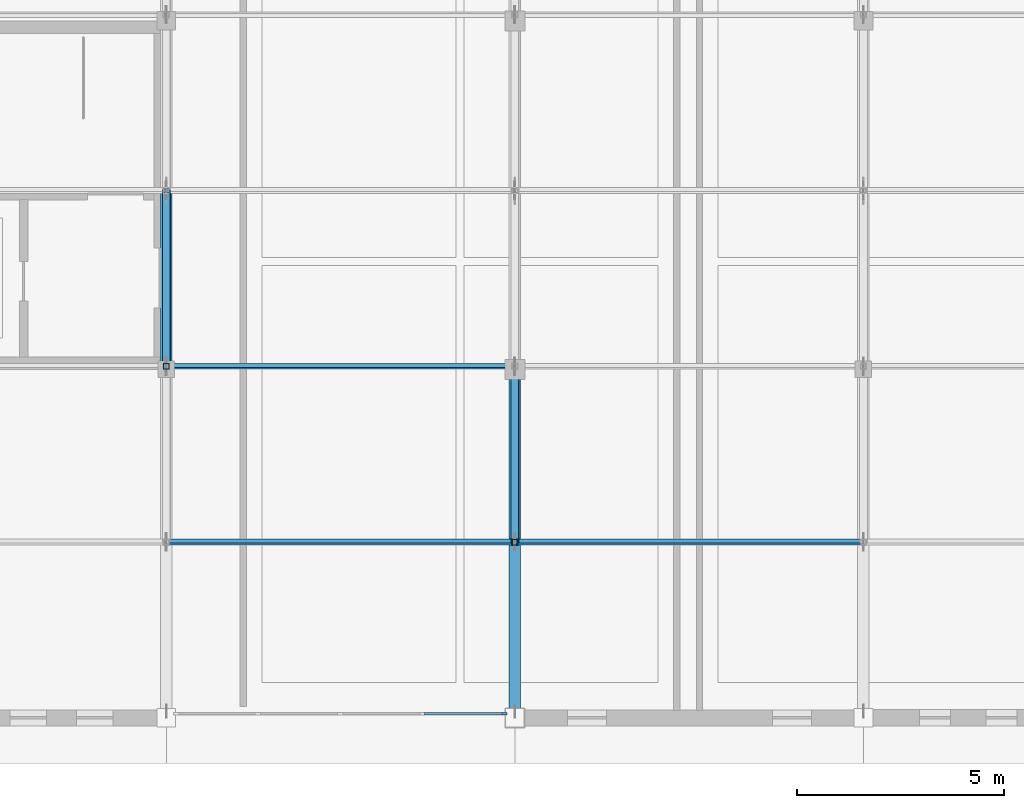
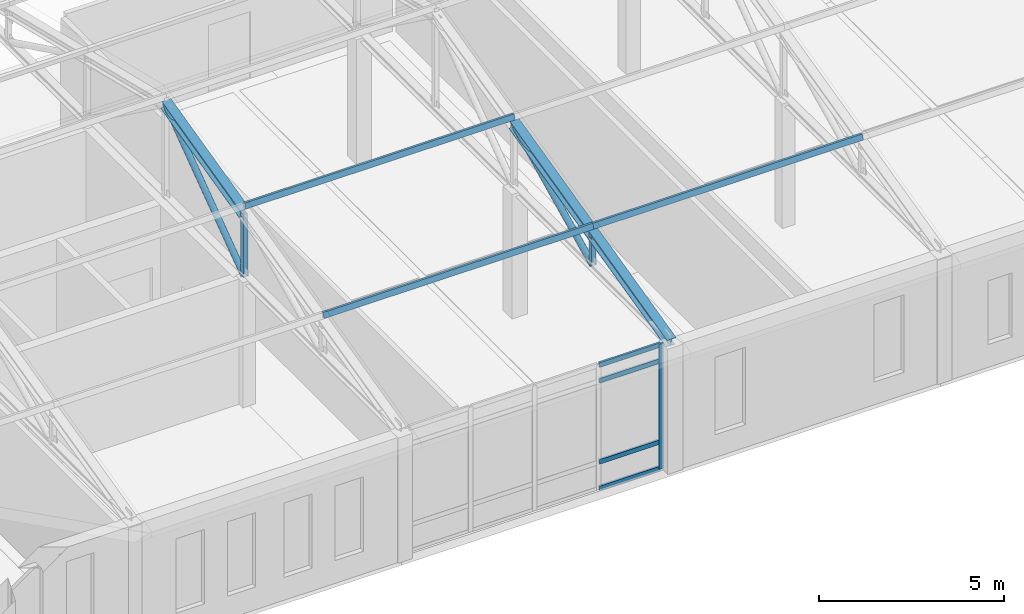
# One storey, part 18 of 192: 15 members, 1 element without a shape of its own.
"""IFC4 building model written with IfcOpenShell, lengths in metres."""

from ifc_helpers import new_model, si_unit, direction, frame, origin, origin_2d, place, context, subcontext, project, spatial, rectangle, hollow_rectangle, hollow_circle, i_section, extrude, material, layer, layer_set, material_profile, profile_set, type_object, element, aggregate, save


model = new_model("IFC4")

# Units and contexts
model_context = context("Model", 3, precision=1e-05, world=origin(), true_north=direction((0.0, 1.0)))
body_context = subcontext(model_context, "Body", "Model", "MODEL_VIEW")
ifc_project = project(units=[si_unit("LENGTHUNIT", "METRE"), si_unit("AREAUNIT", "SQUARE_METRE"), si_unit("VOLUMEUNIT", "CUBIC_METRE"), si_unit("PLANEANGLEUNIT", "RADIAN"), si_unit("MASSUNIT", "GRAM", prefix="KILO")], contexts=[model_context])

# Site, building, storey
site_placement = place(None, origin())
site = spatial("IfcSite", under=ifc_project, at=site_placement, CompositionType="ELEMENT")
building_placement = place(site_placement, origin())
building = spatial("IfcBuilding", under=site, at=building_placement, Name="Kveldsbrygga Polytechnic", CompositionType="ELEMENT")
storey_placement = place(building_placement, frame((0.0, 0.0, 5.43994140625)))
storey = spatial("IfcBuildingStorey", under=building, at=storey_placement, Name="L01", CompositionType="ELEMENT", Elevation=5.43994140625)

# Curtain wall, members
ifc_material_1 = material(Name="Anodised aluminium AW-6060", Category="aluminium")
ifc_layer = layer(ifc_material_1, 0.199951171875)
ifc_layer_set = layer_set([ifc_layer], Name="Anodised aluminium AW-6060")
curtain_wall_type = type_object("IfcCurtainWallType", Name="CW-LANC-E", PredefinedType="USERDEFINED", material=ifc_layer_set)
curtain_wall_placement = place(storey_placement, origin())
curtain_wall = element("IfcCurtainWall", 1, at=curtain_wall_placement, inside=storey, type_object=curtain_wall_type, Name="Curtain Wall CW-L01-X-02-00", ObjectType="UNITISED CURTAIN WALL", PredefinedType="USERDEFINED")
ifc_material_profile_1 = material_profile(ifc_material_1, rectangle(XDim=0.06005859375, YDim=0.139892578125, at=origin_2d()), Name="ALU 60x140")
ifc_profile_set_1 = profile_set([ifc_material_profile_1], Name="Anodised aluminium AW-6060")
member_type_1 = type_object("IfcMemberType", Name="CW-MUL-140", PredefinedType="MULLION", material=ifc_profile_set_1)
member_1_placement = place(storey_placement, frame((24.945068359375, 0.10009765625, 0.0), z_axis=(0.0, 0.0, 1.0), x_axis=(0.0, 1.0, 0.0)))
member_1 = element("IfcMember", 2, at=member_1_placement, type_object=member_type_1, Name="CW-05 mullion 5", PredefinedType="MULLION", context=body_context, shape_type="SweptSolid", body=[
    extrude(rectangle(XDim=0.06005859375, YDim=0.139892578125, at=origin_2d()), origin(), (0.0, 0.0, 1.0), 4.1201171875),
])
ifc_material_profile_2 = material_profile(ifc_material_1, rectangle(XDim=0.06005859375, YDim=0.14990234375, at=origin_2d()), Name="ALU 60x150")
ifc_profile_set_2 = profile_set([ifc_material_profile_2], Name="Anodised aluminium AW-6060")
member_type_2 = type_object("IfcMemberType", Name="CW-TRN-150", PredefinedType="USERDEFINED", material=ifc_profile_set_2)
member_2_placement = place(storey_placement, frame((23.013671875, 0.10009765625, 0.030029296875), z_axis=(1.0, 0.0, 0.0), x_axis=(0.0, 1.0, 0.0)))
member_2 = element("IfcMember", 3, at=member_2_placement, type_object=member_type_2, Name="CW-05 transom 4.1", ObjectType="TRANSOM", PredefinedType="USERDEFINED", context=body_context, shape_type="SweptSolid", body=[
    extrude(rectangle(XDim=0.06005859375, YDim=0.14990234375, at=origin_2d()), origin(), (0.0, 0.0, 1.0), 1.9013671875),
])
member_3_placement = place(storey_placement, frame((23.013671875, 0.10009765625, 0.900146484375), z_axis=(1.0, 0.0, 0.0), x_axis=(0.0, 1.0, 0.0)))
member_3 = element("IfcMember", 4, at=member_3_placement, type_object=member_type_2, Name="CW-05 transom 4.2", ObjectType="TRANSOM", PredefinedType="USERDEFINED", context=body_context, shape_type="SweptSolid", body=[
    extrude(rectangle(XDim=0.06005859375, YDim=0.14990234375, at=origin_2d()), origin(), (0.0, 0.0, 1.0), 1.9013671875),
])
member_4_placement = place(storey_placement, frame((23.013671875, 0.10009765625, 3.570068359375), z_axis=(1.0, 0.0, 0.0), x_axis=(0.0, 1.0, 0.0)))
member_4 = element("IfcMember", 5, at=member_4_placement, type_object=member_type_2, Name="CW-05 transom 4.3", ObjectType="TRANSOM", PredefinedType="USERDEFINED", context=body_context, shape_type="SweptSolid", body=[
    extrude(rectangle(XDim=0.06005859375, YDim=0.14990234375, at=origin_2d()), origin(), (0.0, 0.0, 1.0), 1.9013671875),
])
member_5_placement = place(storey_placement, frame((23.013671875, 0.10009765625, 4.090087890625), z_axis=(1.0, 0.0, 0.0), x_axis=(0.0, 1.0, 0.0)))
member_5 = element("IfcMember", 6, at=member_5_placement, type_object=member_type_2, Name="CW-05 transom 4.4", ObjectType="TRANSOM", PredefinedType="USERDEFINED", context=body_context, shape_type="SweptSolid", body=[
    extrude(rectangle(XDim=0.06005859375, YDim=0.14990234375, at=origin_2d()), origin(), (0.0, 0.0, 1.0), 1.9013671875),
])
aggregate(curtain_wall, [member_1, member_2, member_3, member_4, member_5])

# Members
ifc_material_2 = material(Name="Steel S355", Category="steel")
ifc_material_profile_3 = material_profile(ifc_material_2, hollow_rectangle(XDim=0.10009765625, YDim=0.179931640625, WallThickness=0.008056640625, at=origin_2d()), Name="RHS 180x100x8.0")
ifc_profile_set_3 = profile_set([ifc_material_profile_3], Name="Steel S355")
member_type_3 = type_object("IfcMemberType", Name="PRL-RHS180", PredefinedType="PURLIN", material=ifc_profile_set_3)
for number, where, z_axis, x_axis, name in (
    (7, (16.800048828125, 4.236572265625, 5.39013671875), (1.0, 0.0, 0.0), (0.0, 0.971520177509, -0.236956841415), "Roof Purlin V5S-PRL-3-1"),
    (8, (16.800048828125, 8.473388671875, 6.423583984375), (1.0, 0.0, 0.0), (0.0, 0.971520177509, -0.236956841415), "Roof Purlin V5S-PRL-3-2"),
):
    element("IfcMember", number, at=place(storey_placement, frame(where, z_axis=z_axis, x_axis=x_axis)), inside=storey, type_object=member_type_3, Name=name, PredefinedType="PURLIN", context=body_context, shape_type="SweptSolid", body=[
        extrude(hollow_rectangle(XDim=0.10009765625, YDim=0.179931640625, WallThickness=0.008056640625, at=origin_2d()), origin(), (0.0, 0.0, 1.0), 8.39990234375),
    ])
member_6_placement = place(storey_placement, frame((25.199951171875, 4.236572265625, 5.39013671875), z_axis=(1.0, 0.0, 0.0), x_axis=(0.0, 0.971520177509, -0.236956841415)))
element("IfcMember", 9, at=member_6_placement, inside=storey, type_object=member_type_3, Name="Roof Purlin V5S-PRL-4-1", PredefinedType="PURLIN", context=body_context, shape_type="SweptSolid", body=[
    extrude(hollow_rectangle(XDim=0.10009765625, YDim=0.179931640625, WallThickness=0.008056640625, at=origin_2d()), origin(), (0.0, 0.0, 1.0), 8.400146484375),
])
ifc_material_profile_4 = material_profile(ifc_material_2, hollow_circle(Radius=0.096923828125, WallThickness=0.010009765625, at=origin_2d()), Name="CHS 193.7x10.0")
ifc_profile_set_4 = profile_set([ifc_material_profile_4], Name="Steel S355")
member_type_4 = type_object("IfcMemberType", Name="TR-DIAG-CHS194", PredefinedType="BRACE", material=ifc_profile_set_4)
member_7_placement = place(storey_placement, frame((16.800048828125, 8.473388671875, 4.1201171875), z_axis=(0.0, 0.807037353017, 0.590500390207), x_axis=(-1.0, 0.0, 0.0)))
element("IfcMember", 10, at=member_7_placement, inside=storey, type_object=member_type_4, Name="Truss Diagonal V5S-T03-DG-3", PredefinedType="BRACE", context=body_context, shape_type="SweptSolid", body=[
    extrude(hollow_circle(Radius=0.096923828125, WallThickness=0.010009765625, at=origin_2d()), origin(), (0.0, 0.0, 1.0), 5.24951171875),
])
member_8_placement = place(storey_placement, frame((25.199951171875, 4.236572265625, 4.1201171875), z_axis=(0.0, 0.898775911737, 0.438408326199), x_axis=(-1.0, 0.0, 0.0)))
element("IfcMember", 11, at=member_8_placement, inside=storey, type_object=member_type_4, Name="Truss Diagonal V5S-T04-DG-2", PredefinedType="BRACE", context=body_context, shape_type="SweptSolid", body=[
    extrude(hollow_circle(Radius=0.096923828125, WallThickness=0.010009765625, at=origin_2d()), origin(), (0.0, 0.0, 1.0), 4.7138671875),
])
ifc_material_profile_5 = material_profile(ifc_material_2, hollow_rectangle(XDim=0.139892578125, YDim=0.139892578125, WallThickness=0.008056640625, at=origin_2d()), Name="SHS 140x140x8.0")
ifc_profile_set_5 = profile_set([ifc_material_profile_5], Name="Steel S355")
member_type_5 = type_object("IfcMemberType", Name="TR-POST-SHS140", PredefinedType="STRUT", material=ifc_profile_set_5)
member_9_placement = place(storey_placement, frame((16.800048828125, 8.473388671875, 4.1201171875), z_axis=(0.0, 0.0, 1.0), x_axis=(1.0, 0.0, 0.0)))
element("IfcMember", 12, at=member_9_placement, inside=storey, type_object=member_type_5, Name="Truss Vertical V5S-T03-VT-2", PredefinedType="STRUT", context=body_context, shape_type="SweptSolid", body=[
    extrude(hollow_rectangle(XDim=0.139892578125, YDim=0.139892578125, WallThickness=0.008056640625, at=origin_2d()), origin(), (0.0, 0.0, 1.0), 2.066650390625),
])
member_10_placement = place(storey_placement, frame((25.199951171875, 4.236572265625, 4.1201171875), z_axis=(0.0, 0.0, 1.0), x_axis=(1.0, 0.0, 0.0)))
element("IfcMember", 13, at=member_10_placement, inside=storey, type_object=member_type_5, Name="Truss Vertical V5S-T04-VT-1", PredefinedType="STRUT", context=body_context, shape_type="SweptSolid", body=[
    extrude(hollow_rectangle(XDim=0.139892578125, YDim=0.139892578125, WallThickness=0.008056640625, at=origin_2d()), origin(), (0.0, 0.0, 1.0), 1.033203125),
])
ifc_material_profile_6 = material_profile(ifc_material_2, i_section(OverallWidth=0.280029296875, OverallDepth=0.280029296875, WebThickness=0.010498046875, FlangeThickness=0.01806640625, FilletRadius=0.02392578125, at=origin_2d()), Name="HEB 280")
ifc_profile_set_6 = profile_set([ifc_material_profile_6], Name="Steel S355")
member_type_6 = type_object("IfcMemberType", Name="TR-TOP-HEB280", PredefinedType="CHORD", material=ifc_profile_set_6)
for number, where, z_axis, x_axis, name in (
    (14, (16.800048828125, 8.473388671875, 6.186767578125), (0.0, 0.971525996838, 0.236932980961), (-1.0, 0.0, 0.0), "Truss Top Chord V5S-T03-TC-3"),
    (15, (25.199951171875, 0.0, 4.1201171875), (0.0, 0.971525996838, 0.236932980961), (-1.0, 0.0, 0.0), "Truss Top Chord V5S-T04-TC-1"),
):
    element("IfcMember", number, at=place(storey_placement, frame(where, z_axis=z_axis, x_axis=x_axis)), inside=storey, type_object=member_type_6, Name=name, PredefinedType="CHORD", context=body_context, shape_type="SweptSolid", body=[
        extrude(i_section(OverallWidth=0.280029296875, OverallDepth=0.280029296875, WebThickness=0.010498046875, FlangeThickness=0.01806640625, FilletRadius=0.02392578125, at=origin_2d()), origin(), (0.0, 0.0, 1.0), 4.36083984375),
    ])
member_11_placement = place(storey_placement, frame((25.199951171875, 4.236572265625, 5.1533203125), z_axis=(0.0, 0.971516252342, 0.236972933973), x_axis=(-1.0, 0.0, 0.0)))
element("IfcMember", 16, at=member_11_placement, inside=storey, type_object=member_type_6, Name="Truss Top Chord V5S-T04-TC-2", PredefinedType="CHORD", context=body_context, shape_type="SweptSolid", body=[
    extrude(i_section(OverallWidth=0.280029296875, OverallDepth=0.280029296875, WebThickness=0.010498046875, FlangeThickness=0.01806640625, FilletRadius=0.02392578125, at=origin_2d()), origin(), (0.0, 0.0, 1.0), 4.361083984375),
])

save(model, "model.ifc")
